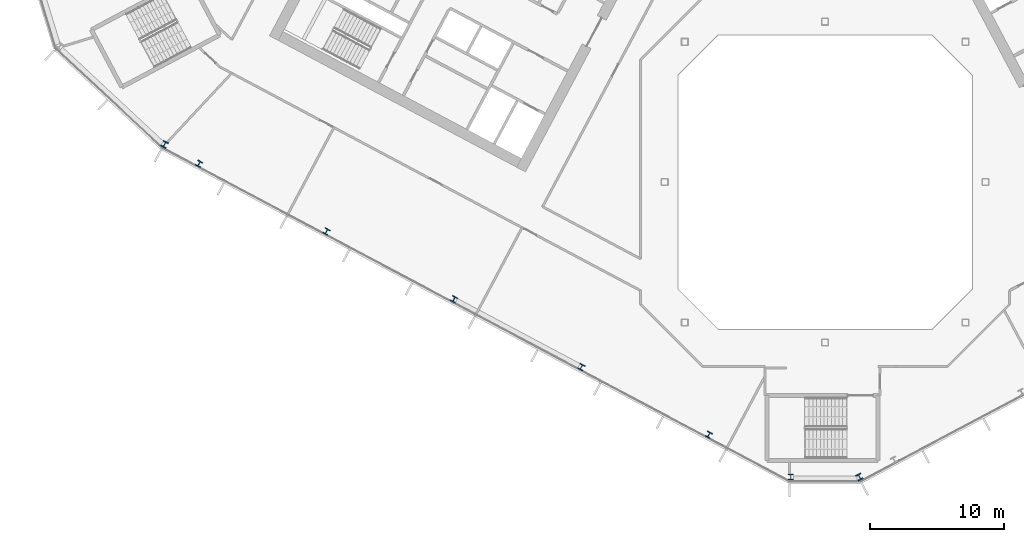
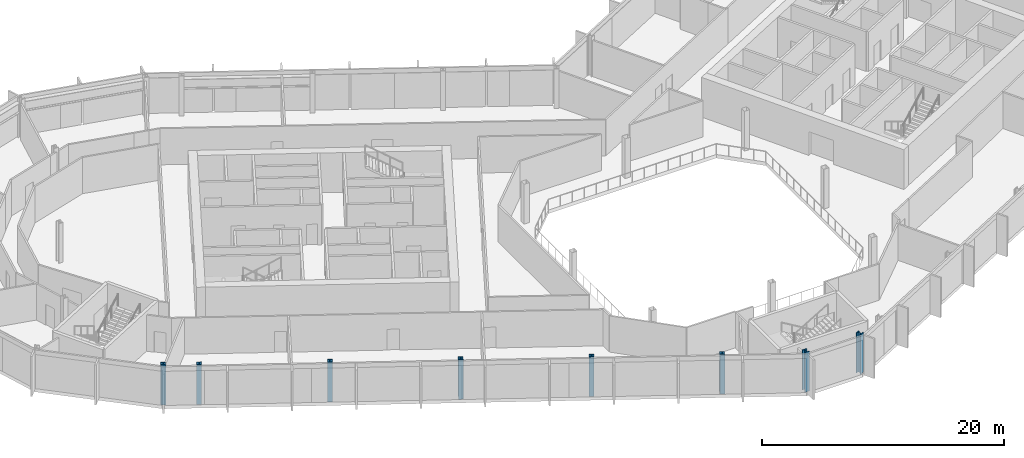
# One storey, part 1 of 28: 8 columns.
"""IFC4 building model written with IfcOpenShell, lengths in metres."""

import ifcopenshell
import ifcopenshell.guid

model = None  # the IFC model being written
_history = None  # IfcOwnerHistory: only IFC2X3 demands one
_inside = {}  # id of a spatial element -> (the spatial element, [elements in it])
_under = {}  # id of a project, library or spatial element -> (it, [spatial elements below it])
_declared = {}  # id of a project -> (the project, [libraries it declares])
_typed = {}  # id of a type object -> (the type object, [elements of that type])
_made_of = {}  # id of a material, layer set ... -> (it, [elements and type objects made of it])


def new_model(schema):
    """Start an empty IFC model of exactly this schema.

    Asked for "IFC4X3", IfcOpenShell would pick the latest addendum, in which some entities
    have other attributes; the version numbers below select the first issue.
    IFC2X3 requires an IfcOwnerHistory on every rooted entity: one is made here for all.
    """
    global model, _history
    if schema == "IFC4X3":
        model = ifcopenshell.file(schema_version=(4, 3, 0, 0))
    else:
        model = ifcopenshell.file(schema=schema)
    _inside.clear()
    _under.clear()
    _declared.clear()
    _typed.clear()
    _made_of.clear()
    _history = None
    if model.schema == "IFC2X3":
        org = make("IfcOrganization", Name="unknown")
        user = make(
            "IfcPersonAndOrganization",
            ThePerson=make("IfcPerson", FamilyName="unknown"),
            TheOrganization=org,
        )
        app = make(
            "IfcApplication",
            ApplicationDeveloper=org,
            Version="unknown",
            ApplicationFullName="unknown",
            ApplicationIdentifier="unknown",
        )
        _history = make(
            "IfcOwnerHistory",
            OwningUser=user,
            OwningApplication=app,
            ChangeAction="ADDED",
            CreationDate=0,
        )
    return model


def make(cls, **values):
    """One entity of the class cls with the attributes given. An attribute that is None is left unset."""
    return model.create_entity(
        cls, **{name: value for name, value in values.items() if value is not None}
    )


def rooted(cls, **values):
    """An entity with a GlobalId (a new one), such as an element, a storey or a relation."""
    return make(cls, GlobalId=ifcopenshell.guid.new(), OwnerHistory=_history, **values)


def si_unit(unit_type, name, prefix=None):
    """IfcSIUnit, for example si_unit("LENGTHUNIT", "METRE", prefix="MILLI")."""
    return make("IfcSIUnit", UnitType=unit_type, Prefix=prefix, Name=name)


def assignment(units):
    """IfcUnitAssignment: the units of a project."""
    return None if units is None else make("IfcUnitAssignment", Units=units)


def point(xyz):
    """IfcCartesianPoint."""
    return None if xyz is None else make("IfcCartesianPoint", Coordinates=xyz)


def direction(xyz):
    """IfcDirection."""
    return None if xyz is None else make("IfcDirection", DirectionRatios=xyz)


def frame(location, z_axis=None, x_axis=None):
    """IfcAxis2Placement3D, a coordinate frame: its origin and axes. An axis left out is left unset."""
    return make(
        "IfcAxis2Placement3D",
        Location=point(location),
        Axis=direction(z_axis),
        RefDirection=direction(x_axis),
    )


def frame_2d(location, x_axis=None):
    """IfcAxis2Placement2D, a coordinate frame in the plane: its origin and x axis."""
    return make(
        "IfcAxis2Placement2D", Location=point(location), RefDirection=direction(x_axis)
    )


def origin():
    """The frame at (0, 0, 0) with its axes left unset."""
    return frame((0.0, 0.0, 0.0))


def origin_2d():
    """The frame at (0, 0) in the plane with its x axis left unset."""
    return frame_2d((0.0, 0.0))


def place(relative_to, where):
    """IfcLocalPlacement: puts the frame where relative to a parent placement (None: the world)."""
    return make(
        "IfcLocalPlacement", PlacementRelTo=relative_to, RelativePlacement=where
    )


def context(
    kind, dimensions, precision=None, world=None, true_north=None, identifier=None
):
    """IfcGeometricRepresentationContext, for example the 3D "Model" context."""
    return make(
        "IfcGeometricRepresentationContext",
        ContextIdentifier=identifier,
        ContextType=kind,
        CoordinateSpaceDimension=dimensions,
        Precision=precision,
        WorldCoordinateSystem=world,
        TrueNorth=true_north,
    )


def subcontext(parent, identifier, kind, view, scale=None):
    """IfcGeometricRepresentationSubContext, for example "Body" below "Model"."""
    return make(
        "IfcGeometricRepresentationSubContext",
        ContextIdentifier=identifier,
        ContextType=kind,
        ParentContext=parent,
        TargetScale=scale,
        TargetView=view,
    )


def project(units=None, contexts=None):
    """IfcProject with its units and contexts."""
    return rooted(
        "IfcProject",
        Name="project",
        RepresentationContexts=contexts,
        UnitsInContext=assignment(units),
    )


def spatial(cls, under=None, at=None, **own):
    """A site, building, storey or space (cls), placed at a placement, below another one or the project."""
    s = rooted(cls, ObjectPlacement=at, **own)
    if under is not None:
        _under.setdefault(under.id(), (under, []))[1].append(s)
    return s


def profile(cls, at=None, kind="AREA", **sizes):
    """A parametric profile (cls). Its sizes go by their IFC names, for example OverallWidth=200.0."""
    return make(cls, ProfileType=kind, Position=at, **sizes)


def i_section(**sizes):
    """IfcIShapeProfileDef."""
    return profile("IfcIShapeProfileDef", **sizes)


def extrude(swept, where, along, depth):
    """IfcExtrudedAreaSolid: the profile swept, set in the frame where, extruded along a direction by depth."""
    return make(
        "IfcExtrudedAreaSolid",
        SweptArea=swept,
        Position=where,
        ExtrudedDirection=direction(along),
        Depth=depth,
    )


def shape(context_of_items, identifier, shape_type, items):
    """IfcShapeRepresentation: the items that make up one representation, for example the "Body"."""
    return make(
        "IfcShapeRepresentation",
        ContextOfItems=context_of_items,
        RepresentationIdentifier=identifier,
        RepresentationType=shape_type,
        Items=items,
    )


def material(Name=None, Category=None):
    """IfcMaterial."""
    return make("IfcMaterial", Name=Name, Category=Category)


def material_profile(
    of_material, cross_section, Name=None, Category=None, Priority=None
):
    """IfcMaterialProfile: a cross section and its material."""
    return make(
        "IfcMaterialProfile",
        Name=Name,
        Material=of_material,
        Profile=cross_section,
        Priority=Priority,
        Category=Category,
    )


def profile_set(profiles, Name=None, composite=None):
    """IfcMaterialProfileSet."""
    return make(
        "IfcMaterialProfileSet",
        Name=Name,
        MaterialProfiles=profiles,
        CompositeProfile=composite,
    )


def made_of(thing, what):
    """Note that an element or type object is made of a material, layer set ...; save() writes the relation."""
    if what is not None:
        _made_of.setdefault(what.id(), (what, []))[1].append(thing)
    return thing


def type_object(cls, material=None, **own):
    """A type object (cls), such as IfcWallType, which elements share."""
    return made_of(rooted(cls, **own), material)


def element(
    cls,
    number,
    at=None,
    inside=None,
    cuts=None,
    type_object=None,
    material=None,
    context=None,
    identifier="Body",
    shape_type=None,
    held_by="IfcProductDefinitionShape",
    body=None,
    shapes=None,
    **own,
):
    """One element of the class cls, such as IfcWall. Its Tag is "e" and its number.

    at: its placement. inside: the storey or other place that contains it. cuts: it is an
    opening in that element (IfcRelVoidsElement). A single representation is given by context,
    identifier, shape_type and body (its items); several are given by shapes. held_by: the class
    of the entity that holds the representations. save() writes the other relations.
    """
    e = rooted(cls, Tag="e%d" % number, ObjectPlacement=at, **own)
    if body is not None:
        shapes = [shape(context, identifier, shape_type, body)]
    if shapes is not None:
        e.Representation = make(held_by, Representations=shapes)
    if inside is not None:
        _inside.setdefault(inside.id(), (inside, []))[1].append(e)
    if cuts is not None:
        rooted(
            "IfcRelVoidsElement", RelatingBuildingElement=cuts, RelatedOpeningElement=e
        )
    if type_object is not None:
        _typed.setdefault(type_object.id(), (type_object, []))[1].append(e)
    return made_of(e, material)


def aggregate(whole, parts):
    """IfcRelAggregates: a whole, such as a stair, and the parts it consists of."""
    return rooted("IfcRelAggregates", RelatingObject=whole, RelatedObjects=parts)


def save(model, path):
    """Write the relations noted so far, then the file.

    IfcRelAggregates (storeys below a building ...), IfcRelContainedInSpatialStructure (elements
    in a storey), IfcRelDefinesByType, IfcRelAssociatesMaterial and IfcRelDeclares: one each for
    every whole, place, type object, material and project.
    """
    for whole, parts in _under.values():
        aggregate(whole, parts)
    for where, things in _inside.values():
        rooted(
            "IfcRelContainedInSpatialStructure",
            RelatedElements=things,
            RelatingStructure=where,
        )
    for kind, things in _typed.values():
        rooted("IfcRelDefinesByType", RelatedObjects=things, RelatingType=kind)
    for what, things in _made_of.values():
        rooted("IfcRelAssociatesMaterial", RelatedObjects=things, RelatingMaterial=what)
    for by, libraries in _declared.values():
        rooted("IfcRelDeclares", RelatingContext=by, RelatedDefinitions=libraries)
    model.write(path)


model = new_model("IFC4")

# Units and contexts
model_context = context("Model", 3, precision=1e-05, world=origin(), true_north=direction((0.0, 1.0)))
body_context = subcontext(model_context, "Body", "Model", "MODEL_VIEW")
ifc_project = project(units=[si_unit("LENGTHUNIT", "METRE"), si_unit("AREAUNIT", "SQUARE_METRE"), si_unit("VOLUMEUNIT", "CUBIC_METRE"), si_unit("PLANEANGLEUNIT", "RADIAN"), si_unit("MASSUNIT", "GRAM", prefix="KILO")], contexts=[model_context])

# Site, building, storey
site_placement = place(None, origin())
site = spatial("IfcSite", under=ifc_project, at=site_placement, CompositionType="ELEMENT")
building_placement = place(site_placement, origin())
building = spatial("IfcBuilding", under=site, at=building_placement, Name="Cormorant Relay Tower", CompositionType="ELEMENT")
storey_placement = place(building_placement, frame((0.0, 0.0, 126.199951171875)))
storey = spatial("IfcBuildingStorey", under=building, at=storey_placement, Name="L25", CompositionType="ELEMENT", Elevation=126.199951171875)

# Columns
ifc_material_1 = material(Name="Steel ASTM A992 (Fy 345 MPa)", Category="steel")
ifc_material_profile_1 = material_profile(ifc_material_1, i_section(OverallWidth=0.41162109375, OverallDepth=0.434326171875, WebThickness=0.035888671875, FlangeThickness=0.057373046875, FilletRadius=0.01513671875, at=origin_2d()), Name="W360x463")
ifc_profile_set_1 = profile_set([ifc_material_profile_1], Name="Steel ASTM A992 (Fy 345 MPa)")
column_type_1 = type_object("IfcColumnType", Name="Column W360x463", PredefinedType="COLUMN", material=ifc_profile_set_1)
for number, where, z_axis, x_axis, name in (
    (1, (-8.696044921875, -18.910888671875, 0.0), (0.0, 0.0, 1.0), (0.882947592859, -0.469471562786, 0.0), "Column L25-004"),
    (2, (-18.23193359375, -13.841064453125, 0.0), (0.0, 0.0, 1.0), (0.882947592859, -0.469471562786, 0.0), "Column L25-006"),
    (3, (-27.76806640625, -8.77001953125, 0.0), (0.0, 0.0, 1.0), (0.882947592859, -0.469471562786, 0.0), "Column L25-011"),
    (4, (-37.303955078125, -3.699951171875, 0.0), (0.0, 0.0, 1.0), (0.882947592859, -0.469471562786, 0.0), "Column L25-013"),
    (5, (-46.839111328125, 1.3701171875, 0.0), (0.0, 0.0, 1.0), (0.882947592859, -0.469471562786, 0.0), "Column L25-018"),
):
    element("IfcColumn", number, at=place(storey_placement, frame(where, z_axis=z_axis, x_axis=x_axis)), inside=storey, type_object=column_type_1, Name=name, PredefinedType="COLUMN", context=body_context, shape_type="SweptSolid", body=[
        extrude(i_section(OverallWidth=0.41162109375, OverallDepth=0.434326171875, WebThickness=0.035888671875, FlangeThickness=0.057373046875, FilletRadius=0.01513671875, at=origin_2d()), origin(), (0.0, 0.0, 1.0), 4.0),
    ])
ifc_material_2 = material(Name="Steel ASTM A992 (Fy 345 MPa)", Category="steel")
ifc_material_profile_2 = material_profile(ifc_material_2, i_section(OverallWidth=0.42431640625, OverallDepth=0.47509765625, WebThickness=0.0478515625, FlangeThickness=0.0771484375, FilletRadius=0.014892578125, at=origin_2d()), Name="W360x634")
ifc_profile_set_2 = profile_set([ifc_material_profile_2], Name="Steel ASTM A992 (Fy 345 MPa)")
column_type_2 = type_object("IfcColumnType", Name="Column W360x634", PredefinedType="COLUMN", material=ifc_profile_set_2)
for number, where, z_axis, x_axis, name in (
    (6, (-2.571044921875, -22.06494140625, 0.0), (0.0, 0.0, 1.0), (1.0, 0.0, 0.0), "Column L25-001"),
    (7, (2.571044921875, -22.06494140625, 0.0), (0.0, 0.0, 1.0), (0.882947592859, 0.469471562786, 0.0), "Column L25-002"),
    (8, (-49.423095703125, 2.820068359375, 0.0), (0.0, 0.0, 1.0), (0.882947592859, -0.469471562786, 0.0), "Column L25-019"),
):
    element("IfcColumn", number, at=place(storey_placement, frame(where, z_axis=z_axis, x_axis=x_axis)), inside=storey, type_object=column_type_2, Name=name, PredefinedType="COLUMN", context=body_context, shape_type="SweptSolid", body=[
        extrude(i_section(OverallWidth=0.42431640625, OverallDepth=0.47509765625, WebThickness=0.0478515625, FlangeThickness=0.0771484375, FilletRadius=0.014892578125, at=origin_2d()), origin(), (0.0, 0.0, 1.0), 4.0),
    ])

save(model, "model.ifc")
